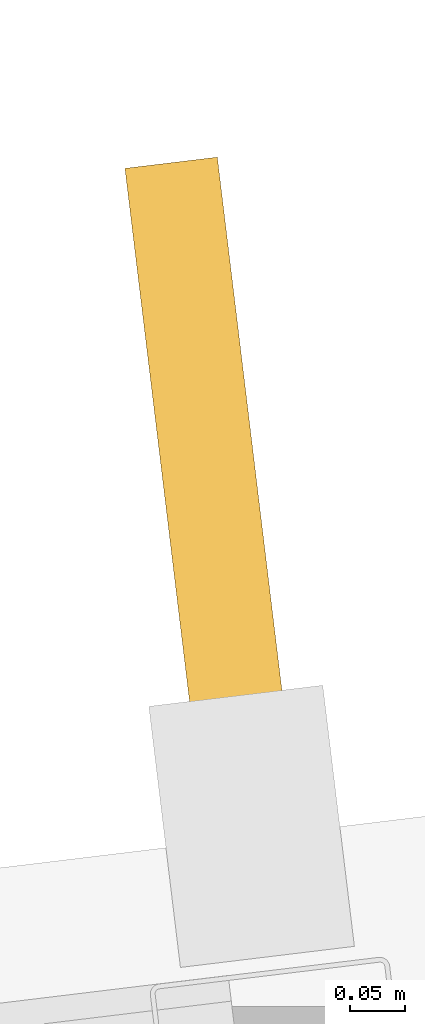
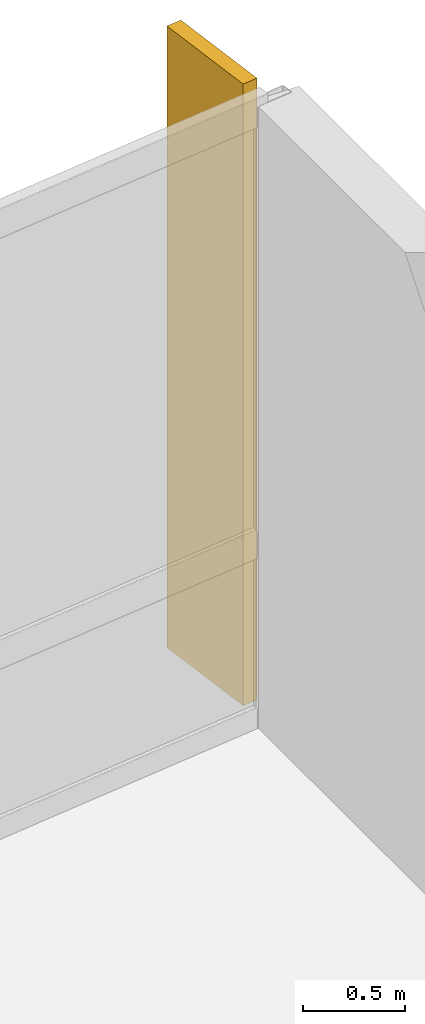
# One storey, part 17 of 17: 1 shading device.
"""IFC4 building model written with IfcOpenShell, lengths in metres."""

import ifcopenshell
import ifcopenshell.guid

model = None  # the IFC model being written
_history = None  # IfcOwnerHistory: only IFC2X3 demands one
_inside = {}  # id of a spatial element -> (the spatial element, [elements in it])
_under = {}  # id of a project, library or spatial element -> (it, [spatial elements below it])
_declared = {}  # id of a project -> (the project, [libraries it declares])
_typed = {}  # id of a type object -> (the type object, [elements of that type])
_made_of = {}  # id of a material, layer set ... -> (it, [elements and type objects made of it])


def new_model(schema):
    """Start an empty IFC model of exactly this schema.

    Asked for "IFC4X3", IfcOpenShell would pick the latest addendum, in which some entities
    have other attributes; the version numbers below select the first issue.
    IFC2X3 requires an IfcOwnerHistory on every rooted entity: one is made here for all.
    """
    global model, _history
    if schema == "IFC4X3":
        model = ifcopenshell.file(schema_version=(4, 3, 0, 0))
    else:
        model = ifcopenshell.file(schema=schema)
    _inside.clear()
    _under.clear()
    _declared.clear()
    _typed.clear()
    _made_of.clear()
    _history = None
    if model.schema == "IFC2X3":
        org = make("IfcOrganization", Name="unknown")
        user = make(
            "IfcPersonAndOrganization",
            ThePerson=make("IfcPerson", FamilyName="unknown"),
            TheOrganization=org,
        )
        app = make(
            "IfcApplication",
            ApplicationDeveloper=org,
            Version="unknown",
            ApplicationFullName="unknown",
            ApplicationIdentifier="unknown",
        )
        _history = make(
            "IfcOwnerHistory",
            OwningUser=user,
            OwningApplication=app,
            ChangeAction="ADDED",
            CreationDate=0,
        )
    return model


def make(cls, **values):
    """One entity of the class cls with the attributes given. An attribute that is None is left unset."""
    return model.create_entity(
        cls, **{name: value for name, value in values.items() if value is not None}
    )


def rooted(cls, **values):
    """An entity with a GlobalId (a new one), such as an element, a storey or a relation."""
    return make(cls, GlobalId=ifcopenshell.guid.new(), OwnerHistory=_history, **values)


def si_unit(unit_type, name, prefix=None):
    """IfcSIUnit, for example si_unit("LENGTHUNIT", "METRE", prefix="MILLI")."""
    return make("IfcSIUnit", UnitType=unit_type, Prefix=prefix, Name=name)


def assignment(units):
    """IfcUnitAssignment: the units of a project."""
    return None if units is None else make("IfcUnitAssignment", Units=units)


def point(xyz):
    """IfcCartesianPoint."""
    return None if xyz is None else make("IfcCartesianPoint", Coordinates=xyz)


def direction(xyz):
    """IfcDirection."""
    return None if xyz is None else make("IfcDirection", DirectionRatios=xyz)


def frame(location, z_axis=None, x_axis=None):
    """IfcAxis2Placement3D, a coordinate frame: its origin and axes. An axis left out is left unset."""
    return make(
        "IfcAxis2Placement3D",
        Location=point(location),
        Axis=direction(z_axis),
        RefDirection=direction(x_axis),
    )


def frame_2d(location, x_axis=None):
    """IfcAxis2Placement2D, a coordinate frame in the plane: its origin and x axis."""
    return make(
        "IfcAxis2Placement2D", Location=point(location), RefDirection=direction(x_axis)
    )


def origin():
    """The frame at (0, 0, 0) with its axes left unset."""
    return frame((0.0, 0.0, 0.0))


def origin_2d():
    """The frame at (0, 0) in the plane with its x axis left unset."""
    return frame_2d((0.0, 0.0))


def place(relative_to, where):
    """IfcLocalPlacement: puts the frame where relative to a parent placement (None: the world)."""
    return make(
        "IfcLocalPlacement", PlacementRelTo=relative_to, RelativePlacement=where
    )


def context(
    kind, dimensions, precision=None, world=None, true_north=None, identifier=None
):
    """IfcGeometricRepresentationContext, for example the 3D "Model" context."""
    return make(
        "IfcGeometricRepresentationContext",
        ContextIdentifier=identifier,
        ContextType=kind,
        CoordinateSpaceDimension=dimensions,
        Precision=precision,
        WorldCoordinateSystem=world,
        TrueNorth=true_north,
    )


def subcontext(parent, identifier, kind, view, scale=None):
    """IfcGeometricRepresentationSubContext, for example "Body" below "Model"."""
    return make(
        "IfcGeometricRepresentationSubContext",
        ContextIdentifier=identifier,
        ContextType=kind,
        ParentContext=parent,
        TargetScale=scale,
        TargetView=view,
    )


def project(units=None, contexts=None):
    """IfcProject with its units and contexts."""
    return rooted(
        "IfcProject",
        Name="project",
        RepresentationContexts=contexts,
        UnitsInContext=assignment(units),
    )


def spatial(cls, under=None, at=None, **own):
    """A site, building, storey or space (cls), placed at a placement, below another one or the project."""
    s = rooted(cls, ObjectPlacement=at, **own)
    if under is not None:
        _under.setdefault(under.id(), (under, []))[1].append(s)
    return s


def profile(cls, at=None, kind="AREA", **sizes):
    """A parametric profile (cls). Its sizes go by their IFC names, for example OverallWidth=200.0."""
    return make(cls, ProfileType=kind, Position=at, **sizes)


def rectangle(**sizes):
    """IfcRectangleProfileDef."""
    return profile("IfcRectangleProfileDef", **sizes)


def extrude(swept, where, along, depth):
    """IfcExtrudedAreaSolid: the profile swept, set in the frame where, extruded along a direction by depth."""
    return make(
        "IfcExtrudedAreaSolid",
        SweptArea=swept,
        Position=where,
        ExtrudedDirection=direction(along),
        Depth=depth,
    )


def shape(context_of_items, identifier, shape_type, items):
    """IfcShapeRepresentation: the items that make up one representation, for example the "Body"."""
    return make(
        "IfcShapeRepresentation",
        ContextOfItems=context_of_items,
        RepresentationIdentifier=identifier,
        RepresentationType=shape_type,
        Items=items,
    )


def material(Name=None, Category=None):
    """IfcMaterial."""
    return make("IfcMaterial", Name=Name, Category=Category)


def layer(
    of_material, thickness, ventilated=None, Name=None, Category=None, Priority=None
):
    """IfcMaterialLayer: one layer of a wall or slab, of a material (None: an air gap)."""
    return make(
        "IfcMaterialLayer",
        Material=of_material,
        LayerThickness=thickness,
        IsVentilated=ventilated,
        Name=Name,
        Category=Category,
        Priority=Priority,
    )


def layer_set(layers, Name=None):
    """IfcMaterialLayerSet."""
    return make("IfcMaterialLayerSet", MaterialLayers=layers, LayerSetName=Name)


def made_of(thing, what):
    """Note that an element or type object is made of a material, layer set ...; save() writes the relation."""
    if what is not None:
        _made_of.setdefault(what.id(), (what, []))[1].append(thing)
    return thing


def type_object(cls, material=None, **own):
    """A type object (cls), such as IfcWallType, which elements share."""
    return made_of(rooted(cls, **own), material)


def element(
    cls,
    number,
    at=None,
    inside=None,
    cuts=None,
    type_object=None,
    material=None,
    context=None,
    identifier="Body",
    shape_type=None,
    held_by="IfcProductDefinitionShape",
    body=None,
    shapes=None,
    **own,
):
    """One element of the class cls, such as IfcWall. Its Tag is "e" and its number.

    at: its placement. inside: the storey or other place that contains it. cuts: it is an
    opening in that element (IfcRelVoidsElement). A single representation is given by context,
    identifier, shape_type and body (its items); several are given by shapes. held_by: the class
    of the entity that holds the representations. save() writes the other relations.
    """
    e = rooted(cls, Tag="e%d" % number, ObjectPlacement=at, **own)
    if body is not None:
        shapes = [shape(context, identifier, shape_type, body)]
    if shapes is not None:
        e.Representation = make(held_by, Representations=shapes)
    if inside is not None:
        _inside.setdefault(inside.id(), (inside, []))[1].append(e)
    if cuts is not None:
        rooted(
            "IfcRelVoidsElement", RelatingBuildingElement=cuts, RelatedOpeningElement=e
        )
    if type_object is not None:
        _typed.setdefault(type_object.id(), (type_object, []))[1].append(e)
    return made_of(e, material)


def aggregate(whole, parts):
    """IfcRelAggregates: a whole, such as a stair, and the parts it consists of."""
    return rooted("IfcRelAggregates", RelatingObject=whole, RelatedObjects=parts)


def save(model, path):
    """Write the relations noted so far, then the file.

    IfcRelAggregates (storeys below a building ...), IfcRelContainedInSpatialStructure (elements
    in a storey), IfcRelDefinesByType, IfcRelAssociatesMaterial and IfcRelDeclares: one each for
    every whole, place, type object, material and project.
    """
    for whole, parts in _under.values():
        aggregate(whole, parts)
    for where, things in _inside.values():
        rooted(
            "IfcRelContainedInSpatialStructure",
            RelatedElements=things,
            RelatingStructure=where,
        )
    for kind, things in _typed.values():
        rooted("IfcRelDefinesByType", RelatedObjects=things, RelatingType=kind)
    for what, things in _made_of.values():
        rooted("IfcRelAssociatesMaterial", RelatedObjects=things, RelatingMaterial=what)
    for by, libraries in _declared.values():
        rooted("IfcRelDeclares", RelatingContext=by, RelatedDefinitions=libraries)
    model.write(path)


model = new_model("IFC4")

# Units and contexts
model_context = context("Model", 3, precision=1e-05, world=origin(), true_north=direction((0.0, 1.0)))
body_context = subcontext(model_context, "Body", "Model", "MODEL_VIEW")
ifc_project = project(units=[si_unit("LENGTHUNIT", "METRE"), si_unit("AREAUNIT", "SQUARE_METRE"), si_unit("VOLUMEUNIT", "CUBIC_METRE"), si_unit("PLANEANGLEUNIT", "RADIAN"), si_unit("MASSUNIT", "GRAM", prefix="KILO")], contexts=[model_context])

# Site, building, storey
site_placement = place(None, origin())
site = spatial("IfcSite", under=ifc_project, at=site_placement, CompositionType="ELEMENT")
building_placement = place(site_placement, origin())
building = spatial("IfcBuilding", under=site, at=building_placement, Name="Varnakote Quay Hospital", CompositionType="ELEMENT")
storey_placement = place(building_placement, frame((0.0, 0.0, 146.800048828125)))
storey = spatial("IfcBuildingStorey", under=building, at=storey_placement, Name="L36", CompositionType="ELEMENT", Elevation=146.800048828125)

# Shading device
ifc_material = material(Name="Anodised aluminium 6063-T6 Bronze", Category="aluminium")
ifc_layer = layer(ifc_material, 0.0849609375)
ifc_layer_set = layer_set([ifc_layer], Name="Anodised aluminium 6063-T6 Bronze")
shading_device_type = type_object("IfcShadingDeviceType", Name="SHD-BRONZE-FIN-620", PredefinedType="USERDEFINED", material=ifc_layer_set)
shading_device_placement = place(storey_placement, frame((53.9462890625, 33.381591796875, 0.0), z_axis=(0.0, 0.0, 1.0), x_axis=(0.120310105847, -0.992736358975, 0.0)))
element("IfcShadingDevice", 1, at=shading_device_placement, inside=storey, type_object=shading_device_type, Name="L36 Anodised Bronze Vertical Shading FIN", ObjectType="FIN", PredefinedType="USERDEFINED", context=body_context, shape_type="SweptSolid", body=[
    extrude(rectangle(XDim=0.6201171875, YDim=0.0849609375, at=origin_2d()), origin(), (0.0, 0.0, 1.0), 3.7099609375),
])

save(model, "model.ifc")
